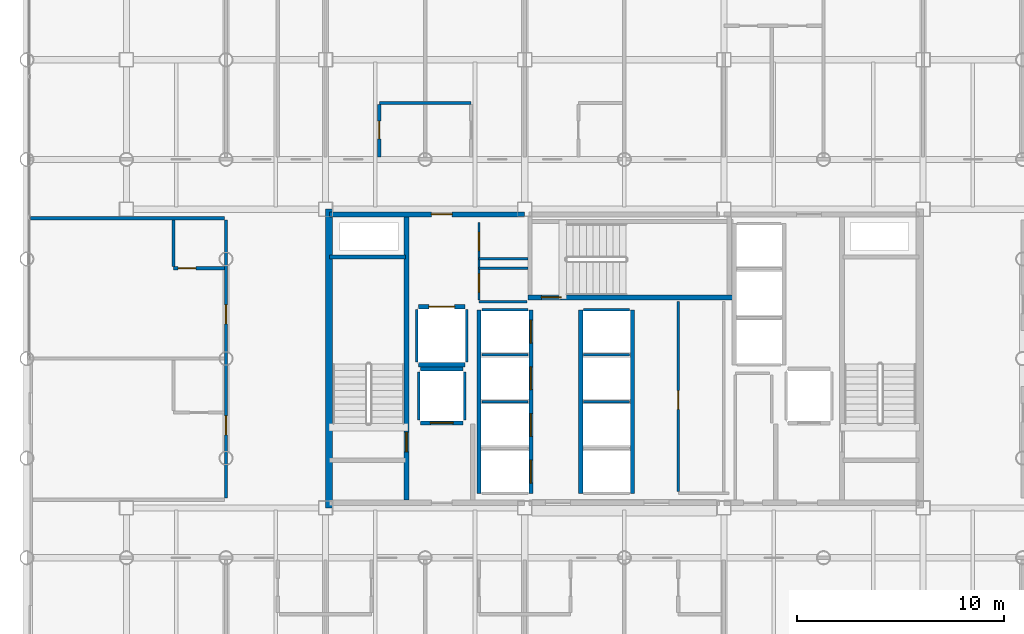
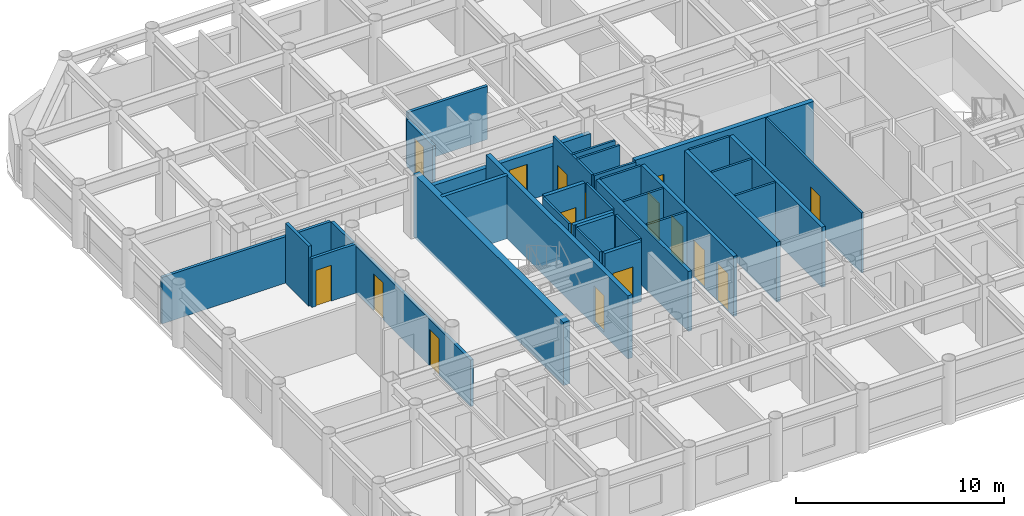
# One storey, part 18 of 22: 34 walls, 16 doors, 16 openings.
"""IFC4 building model written with IfcOpenShell, lengths in metres."""

from ifc_helpers import new_model, si_unit, direction, frame, frame_2d, origin, place, context, subcontext, project, spatial, rectangle, extrude, material, layer, layer_set, type_object, element, fill, save


model = new_model("IFC4")

# Units and contexts
model_context = context("Model", 3, precision=1e-05, world=origin(), true_north=direction((0.0, 1.0)))
body_context = subcontext(model_context, "Body", "Model", "MODEL_VIEW")
ifc_project = project(units=[si_unit("LENGTHUNIT", "METRE"), si_unit("AREAUNIT", "SQUARE_METRE"), si_unit("VOLUMEUNIT", "CUBIC_METRE"), si_unit("PLANEANGLEUNIT", "RADIAN"), si_unit("MASSUNIT", "GRAM", prefix="KILO")], contexts=[model_context])

# Site, building, storey
site_placement = place(None, origin())
site = spatial("IfcSite", under=ifc_project, at=site_placement, CompositionType="ELEMENT")
building_placement = place(site_placement, origin())
building = spatial("IfcBuilding", under=site, at=building_placement, Name="Kallvorn Hotel Tower", CompositionType="ELEMENT")
storey_placement = place(building_placement, frame((0.0, 0.0, 113.699951171875)))
storey = spatial("IfcBuildingStorey", under=building, at=storey_placement, Name="L27", CompositionType="ELEMENT", Elevation=113.699951171875)

# Wall
ifc_material_1 = material(Name="Concrete C50/60", Category="concrete")
ifc_layer_1 = layer(ifc_material_1, 0.35009765625)
ifc_layer_set_1 = layer_set([ifc_layer_1], Name="WL_CORE_350")
wall_type_1 = type_object("IfcWallType", Name="WL_CORE_350", PredefinedType="SHEAR", material=ifc_layer_set_1)
wall_1_placement = place(storey_placement, frame((-14.239990234375, -7.199951171875, -0.179931640625), z_axis=(0.0, 0.0, 1.0), x_axis=(0.0, 1.0, 0.0)))
element("IfcWall", 1, at=wall_1_placement, inside=storey, type_object=wall_type_1, Name="L27 Core West Shear Wall", PredefinedType="SHEAR", context=body_context, shape_type="SweptSolid", body=[
    extrude(rectangle(XDim=14.39990234375, YDim=0.35009765625, at=frame_2d((7.199951171875, 0.0))), origin(), (0.0, 0.0, 1.0), 3.699951171875),
])

# Wall, opening, door
ifc_material_2 = material(Name="Fire-rated double-layer acoustic gypsum drywall EI 60")
ifc_layer_2 = layer(ifc_material_2, 0.159912109375)
ifc_layer_set_2 = layer_set([ifc_layer_2], Name="WL_DEMISE_160")
wall_type_2 = type_object("IfcWallType", Name="WL_DEMISE_160", PredefinedType="PARTITIONING", material=ifc_layer_set_2)
wall_2_placement = place(storey_placement, frame((-21.72998046875, 4.35009765625, 0.0), z_axis=(0.0, 0.0, 1.0), x_axis=(1.0, 0.0, 0.0)))
wall_2 = element("IfcWall", 2, at=wall_2_placement, inside=storey, type_object=wall_type_2, Name="L27 Suite 2702 W Andean Twin Room Partition", PredefinedType="PARTITIONING", context=body_context, shape_type="SweptSolid", body=[
    extrude(rectangle(XDim=2.449951171875, YDim=0.159912109375, at=frame_2d((1.22509765625, 0.0))), origin(), (0.0, 0.0, 1.0), 2.8701171875),
])
opening_1_placement = place(wall_2_placement, frame((0.219970703125, 0.0, 0.0)))
opening_1 = element("IfcOpeningElement", 3, at=opening_1_placement, cuts=wall_2, Name="Opening BD-I", PredefinedType="OPENING", context=body_context, shape_type="SweptSolid", body=[
    extrude(rectangle(XDim=0.860107421875, YDim=2.10009765625, at=frame_2d((0.43017578125, 1.050048828125))), frame((0.0, 0.094970703125, 0.0), z_axis=(0.0, -1.0, 0.0), x_axis=(1.0, 0.0, 0.0)), (0.0, 0.0, 1.0), 0.18994140625),
])
ifc_material_3 = material(Name="Solid-core walnut veneer fire-rated timber door leaf", Category="wood")
door_type_1 = type_object("IfcDoorType", Name="DR_BATH_860x2100", OperationType="NOTDEFINED", PredefinedType="DOOR", material=ifc_material_3)
door_1_placement = place(opening_1_placement, origin())
door_1 = element("IfcDoor", 4, at=door_1_placement, inside=storey, type_object=door_type_1, Name="L27 Suite 2702 En-Suite Bathroom Door", OperationType="SINGLE_SWING_LEFT", OverallHeight=2.10009765625, OverallWidth=0.860107421875, PredefinedType="DOOR", context=body_context, shape_type="SweptSolid", body=[
    extrude(rectangle(XDim=0.860107421875, YDim=2.10009765625, at=frame_2d((0.43017578125, 1.050048828125))), frame((0.0, 0.02490234375, 0.0), z_axis=(0.0, -1.0, 0.0), x_axis=(1.0, 0.0, 0.0)), (0.0, 0.0, 1.0), 0.050048828125),
])
fill(opening_1, door_1)

# Walls
wall_3_placement = place(storey_placement, frame((-28.6298828125, 6.75830078125, 0.0), z_axis=(0.0, 0.0, 1.0), x_axis=(1.0, 0.0, 0.0)))
element("IfcWall", 5, at=wall_3_placement, inside=storey, type_object=wall_type_2, Name="L27 Suite 2702 W Andean Twin Room Partition", PredefinedType="PARTITIONING", context=body_context, shape_type="SweptSolid", body=[
    extrude(rectangle(XDim=9.349853515625, YDim=0.159912109375, at=frame_2d((4.6748046875, 0.0))), origin(), (0.0, 0.0, 1.0), 2.719970703125),
])
wall_4_placement = place(storey_placement, frame((-11.81005859375, 12.320068359375, 0.0), z_axis=(0.0, 0.0, 1.0), x_axis=(1.0, 0.0, 0.0)))
element("IfcWall", 6, at=wall_4_placement, inside=storey, type_object=wall_type_2, Name="L27 Suite 2711 Standard Twin Room Partition", PredefinedType="PARTITIONING", context=body_context, shape_type="SweptSolid", body=[
    extrude(rectangle(XDim=4.420166015625, YDim=0.159912109375, at=frame_2d((2.2099609375, 0.0))), origin(), (0.0, 0.0, 1.0), 3.1201171875),
])
wall_5_placement = place(storey_placement, frame((-21.72998046875, 4.43505859375, 0.0), z_axis=(0.0, 0.0, 1.0), x_axis=(0.0, 1.0, 0.0)))
element("IfcWall", 7, at=wall_5_placement, inside=storey, type_object=wall_type_2, Name="L27 Suite 2702 W Andean Twin Room Partition", PredefinedType="PARTITIONING", context=body_context, shape_type="SweptSolid", body=[
    extrude(rectangle(XDim=2.23828125, YDim=0.159912109375, at=frame_2d((1.119140625, 0.0))), origin(), (0.0, 0.0, 1.0), 3.52001953125),
])

# Wall, openings, doors
wall_6_placement = place(storey_placement, frame((-19.199951171875, -6.715087890625, 0.0), z_axis=(0.0, 0.0, 1.0), x_axis=(0.0, 1.0, 0.0)))
wall_6 = element("IfcWall", 8, at=wall_6_placement, inside=storey, type_object=wall_type_2, Name="L27 Suite 2701 W Loggia King Room Partition", PredefinedType="PARTITIONING", context=body_context, shape_type="SweptSolid", body=[
    extrude(rectangle(XDim=13.388427734375, YDim=0.159912109375, at=frame_2d((6.6943359375, 0.0))), origin(), (0.0, 0.0, 1.0), 2.719970703125),
])
opening_2_placement = place(wall_6_placement, frame((3.034912109375, 0.0, 0.0)))
opening_2 = element("IfcOpeningElement", 9, at=opening_2_placement, cuts=wall_6, Name="Opening GD1", PredefinedType="OPENING", context=body_context, shape_type="SweptSolid", body=[
    extrude(rectangle(XDim=0.919921875, YDim=2.14990234375, at=frame_2d((0.4599609375, 1.074951171875))), frame((0.0, 0.094970703125, 0.0), z_axis=(0.0, -1.0, 0.0), x_axis=(1.0, 0.0, 0.0)), (0.0, 0.0, 1.0), 0.18994140625),
])
opening_3_placement = place(wall_6_placement, frame((8.385009765625, 0.0, 0.0)))
opening_3 = element("IfcOpeningElement", 10, at=opening_3_placement, cuts=wall_6, Name="Opening GD1", PredefinedType="OPENING", context=body_context, shape_type="SweptSolid", body=[
    extrude(rectangle(XDim=0.919921875, YDim=2.14990234375, at=frame_2d((0.4599609375, 1.074951171875))), frame((0.0, 0.094970703125, 0.0), z_axis=(0.0, -1.0, 0.0), x_axis=(1.0, 0.0, 0.0)), (0.0, 0.0, 1.0), 0.18994140625),
])
ifc_material_4 = material(Name="Solid-core walnut veneer fire-rated timber door leaf", Category="wood")
door_type_2 = type_object("IfcDoorType", Name="DR_GUEST_920x2150", OperationType="NOTDEFINED", PredefinedType="DOOR", material=ifc_material_4)
door_2_placement = place(opening_2_placement, origin())
door_2 = element("IfcDoor", 11, at=door_2_placement, inside=storey, type_object=door_type_2, Name="L27 Suite 2701 W Loggia King Room Door", OperationType="SINGLE_SWING_RIGHT", OverallHeight=2.14990234375, OverallWidth=0.919921875, PredefinedType="DOOR", context=body_context, shape_type="SweptSolid", body=[
    extrude(rectangle(XDim=0.919921875, YDim=2.14990234375, at=frame_2d((0.4599609375, 1.074951171875))), frame((0.0, 0.02490234375, 0.0), z_axis=(0.0, -1.0, 0.0), x_axis=(1.0, 0.0, 0.0)), (0.0, 0.0, 1.0), 0.050048828125),
])
fill(opening_2, door_2)
door_3_placement = place(opening_3_placement, origin())
door_3 = element("IfcDoor", 12, at=door_3_placement, inside=storey, type_object=door_type_2, Name="L27 Suite 2702 W Andean Twin Room Door", OperationType="SINGLE_SWING_RIGHT", OverallHeight=2.14990234375, OverallWidth=0.919921875, PredefinedType="DOOR", context=body_context, shape_type="SweptSolid", body=[
    extrude(rectangle(XDim=0.919921875, YDim=2.14990234375, at=frame_2d((0.4599609375, 1.074951171875))), frame((0.0, 0.02490234375, 0.0), z_axis=(0.0, -1.0, 0.0), x_axis=(1.0, 0.0, 0.0)), (0.0, 0.0, 1.0), 0.050048828125),
])
fill(opening_3, door_3)

# Wall, opening, door
wall_7_placement = place(storey_placement, frame((-11.81005859375, 9.719970703125, 0.0), z_axis=(0.0, 0.0, 1.0), x_axis=(0.0, 1.0, 0.0)))
wall_7 = element("IfcWall", 13, at=wall_7_placement, inside=storey, type_object=wall_type_2, Name="L27 Suite 2711 Standard Twin Room Partition", PredefinedType="PARTITIONING", context=body_context, shape_type="SweptSolid", body=[
    extrude(rectangle(XDim=2.51513671875, YDim=0.159912109375, at=frame_2d((1.257568359375, 0.0))), origin(), (0.0, 0.0, 1.0), 2.719970703125),
])
opening_4_placement = place(wall_7_placement, frame((0.8701171875, 0.0, 0.0)))
opening_4 = element("IfcOpeningElement", 14, at=opening_4_placement, cuts=wall_7, Name="Opening BD-I", PredefinedType="OPENING", context=body_context, shape_type="SweptSolid", body=[
    extrude(rectangle(XDim=0.860107421875, YDim=2.10009765625, at=frame_2d((0.43017578125, 1.050048828125))), frame((0.0, 0.094970703125, 0.0), z_axis=(0.0, -1.0, 0.0), x_axis=(1.0, 0.0, 0.0)), (0.0, 0.0, 1.0), 0.18994140625),
])
door_4_placement = place(opening_4_placement, origin())
door_4 = element("IfcDoor", 15, at=door_4_placement, inside=storey, type_object=door_type_1, Name="L27 Suite 2711 En-Suite Bathroom Door", OperationType="SINGLE_SWING_LEFT", OverallHeight=2.10009765625, OverallWidth=0.860107421875, PredefinedType="DOOR", context=body_context, shape_type="SweptSolid", body=[
    extrude(rectangle(XDim=0.860107421875, YDim=2.10009765625, at=frame_2d((0.43017578125, 1.050048828125))), frame((0.0, 0.02490234375, 0.0), z_axis=(0.0, -1.0, 0.0), x_axis=(1.0, 0.0, 0.0)), (0.0, 0.0, 1.0), 0.050048828125),
])
fill(opening_4, door_4)

# Wall
ifc_material_5 = material(Name="Concrete C40/50", Category="concrete")
ifc_layer_3 = layer(ifc_material_5, 0.199951171875)
ifc_layer_set_3 = layer_set([ifc_layer_3], Name="WL_HOIST_200")
wall_type_3 = type_object("IfcWallType", Name="WL_HOIST_200", PredefinedType="SOLIDWALL", material=ifc_layer_set_3)
wall_8_placement = place(storey_placement, frame((-14.199951171875, 4.89990234375, -0.179931640625), z_axis=(0.0, 0.0, 1.0), x_axis=(1.0, 0.0, 0.0)))
element("IfcWall", 16, at=wall_8_placement, inside=storey, type_object=wall_type_3, Name="L27 Stair ST1 North Wall", PredefinedType="SOLIDWALL", context=body_context, shape_type="SweptSolid", body=[
    extrude(rectangle(XDim=3.64990234375, YDim=0.199951171875, at=frame_2d((1.824951171875, 0.0))), origin(), (0.0, 0.0, 1.0), 3.699951171875),
])

# Wall, openings, doors
wall_9_placement = place(storey_placement, frame((-4.5, -6.5, 0.0), z_axis=(0.0, 0.0, 1.0), x_axis=(0.0, 1.0, 0.0)))
wall_9 = element("IfcWall", 17, at=wall_9_placement, inside=storey, type_object=wall_type_3, Name="L27 Lift Bank B1 Landing Wall", PredefinedType="SOLIDWALL", context=body_context, shape_type="SweptSolid", body=[
    extrude(rectangle(XDim=8.85009765625, YDim=0.199951171875, at=frame_2d((4.425048828125, 0.0))), origin(), (0.0, 0.0, 1.0), 3.52001953125),
])
opening_5_placement = place(wall_9_placement, frame((0.5, 0.0, 0.0)))
opening_5 = element("IfcOpeningElement", 18, at=opening_5_placement, cuts=wall_9, Name="Opening LD-PL-01", PredefinedType="OPENING", context=body_context, shape_type="SweptSolid", body=[
    extrude(rectangle(XDim=1.10009765625, YDim=2.199951171875, at=frame_2d((0.550048828125, 1.10009765625))), frame((0.0, 0.114990234375, 0.0), z_axis=(0.0, -1.0, 0.0), x_axis=(1.0, 0.0, 0.0)), (0.0, 0.0, 1.0), 0.22998046875),
])
opening_6_placement = place(wall_9_placement, frame((2.75, 0.0, 0.0)))
opening_6 = element("IfcOpeningElement", 19, at=opening_6_placement, cuts=wall_9, Name="Opening LD-PL-02", PredefinedType="OPENING", context=body_context, shape_type="SweptSolid", body=[
    extrude(rectangle(XDim=1.10009765625, YDim=2.199951171875, at=frame_2d((0.550048828125, 1.10009765625))), frame((0.0, 0.114990234375, 0.0), z_axis=(0.0, -1.0, 0.0), x_axis=(1.0, 0.0, 0.0)), (0.0, 0.0, 1.0), 0.22998046875),
])
opening_7_placement = place(wall_9_placement, frame((5.0, 0.0, 0.0)))
opening_7 = element("IfcOpeningElement", 20, at=opening_7_placement, cuts=wall_9, Name="Opening LD-PL-03", PredefinedType="OPENING", context=body_context, shape_type="SweptSolid", body=[
    extrude(rectangle(XDim=1.10009765625, YDim=2.199951171875, at=frame_2d((0.550048828125, 1.10009765625))), frame((0.0, 0.114990234375, 0.0), z_axis=(0.0, -1.0, 0.0), x_axis=(1.0, 0.0, 0.0)), (0.0, 0.0, 1.0), 0.22998046875),
])
opening_8_placement = place(wall_9_placement, frame((7.25, 0.0, 0.0)))
opening_8 = element("IfcOpeningElement", 21, at=opening_8_placement, cuts=wall_9, Name="Opening LD-PL-04", PredefinedType="OPENING", context=body_context, shape_type="SweptSolid", body=[
    extrude(rectangle(XDim=1.10009765625, YDim=2.199951171875, at=frame_2d((0.550048828125, 1.10009765625))), frame((0.0, 0.114990234375, 0.0), z_axis=(0.0, -1.0, 0.0), x_axis=(1.0, 0.0, 0.0)), (0.0, 0.0, 1.0), 0.22998046875),
])
ifc_material_6 = material(Name="Brushed stainless-steel automatic sliding lift landing door", Category="steel")
door_type_3 = type_object("IfcDoorType", Name="LD_PASS_1100x2200", OperationType="SLIDING_TO_LEFT", PredefinedType="DOOR", material=ifc_material_6)
door_5_placement = place(opening_5_placement, origin())
door_5 = element("IfcDoor", 22, at=door_5_placement, inside=storey, type_object=door_type_3, Name="L27 Lift Landing Sliding Door LD-PL-01", OperationType="SLIDING_TO_LEFT", OverallHeight=2.199951171875, OverallWidth=1.10009765625, PredefinedType="DOOR", context=body_context, shape_type="SweptSolid", body=[
    extrude(rectangle(XDim=1.10009765625, YDim=2.199951171875, at=frame_2d((0.550048828125, 1.10009765625))), frame((0.0, 0.02490234375, 0.0), z_axis=(0.0, -1.0, 0.0), x_axis=(1.0, 0.0, 0.0)), (0.0, 0.0, 1.0), 0.050048828125),
])
fill(opening_5, door_5)
door_6_placement = place(opening_6_placement, origin())
door_6 = element("IfcDoor", 23, at=door_6_placement, inside=storey, type_object=door_type_3, Name="L27 Lift Landing Sliding Door LD-PL-02", OperationType="SLIDING_TO_LEFT", OverallHeight=2.199951171875, OverallWidth=1.10009765625, PredefinedType="DOOR", context=body_context, shape_type="SweptSolid", body=[
    extrude(rectangle(XDim=1.10009765625, YDim=2.199951171875, at=frame_2d((0.550048828125, 1.10009765625))), frame((0.0, 0.02490234375, 0.0), z_axis=(0.0, -1.0, 0.0), x_axis=(1.0, 0.0, 0.0)), (0.0, 0.0, 1.0), 0.050048828125),
])
fill(opening_6, door_6)
door_7_placement = place(opening_7_placement, origin())
door_7 = element("IfcDoor", 24, at=door_7_placement, inside=storey, type_object=door_type_3, Name="L27 Lift Landing Sliding Door LD-PL-03", OperationType="SLIDING_TO_LEFT", OverallHeight=2.199951171875, OverallWidth=1.10009765625, PredefinedType="DOOR", context=body_context, shape_type="SweptSolid", body=[
    extrude(rectangle(XDim=1.10009765625, YDim=2.199951171875, at=frame_2d((0.550048828125, 1.10009765625))), frame((0.0, 0.02490234375, 0.0), z_axis=(0.0, -1.0, 0.0), x_axis=(1.0, 0.0, 0.0)), (0.0, 0.0, 1.0), 0.050048828125),
])
fill(opening_7, door_7)
door_8_placement = place(opening_8_placement, origin())
door_8 = element("IfcDoor", 25, at=door_8_placement, inside=storey, type_object=door_type_3, Name="L27 Lift Landing Sliding Door LD-PL-04", OperationType="SLIDING_TO_LEFT", OverallHeight=2.199951171875, OverallWidth=1.10009765625, PredefinedType="DOOR", context=body_context, shape_type="SweptSolid", body=[
    extrude(rectangle(XDim=1.10009765625, YDim=2.199951171875, at=frame_2d((0.550048828125, 1.10009765625))), frame((0.0, 0.02490234375, 0.0), z_axis=(0.0, -1.0, 0.0), x_axis=(1.0, 0.0, 0.0)), (0.0, 0.0, 1.0), 0.050048828125),
])
fill(opening_8, door_8)

# Walls
for number, where, z_axis, x_axis, name in (
    (26, (-7.0, -6.5, 0.0), (0.0, 0.0, 1.0), (0.0, 1.0, 0.0), "L27 Lift Bank B1 Rear Shaft Wall"),
    (27, (-2.10009765625, -6.5, 0.0), (0.0, 0.0, 1.0), (0.0, 1.0, 0.0), "L27 Lift Bank B2 Landing Wall"),
    (28, (0.39990234375, -6.5, 0.0), (0.0, 0.0, 1.0), (0.0, 1.0, 0.0), "L27 Lift Bank B2 Rear Shaft Wall"),
):
    element("IfcWall", number, at=place(storey_placement, frame(where, z_axis=z_axis, x_axis=x_axis)), inside=storey, type_object=wall_type_3, Name=name, PredefinedType="SOLIDWALL", context=body_context, shape_type="SweptSolid", body=[
        extrude(rectangle(XDim=8.85009765625, YDim=0.199951171875, at=frame_2d((4.425048828125, 0.0))), origin(), (0.0, 0.0, 1.0), 3.52001953125),
    ])

# Wall, opening, door
wall_10_placement = place(storey_placement, frame((-9.820068359375, -3.10009765625, 0.0), z_axis=(0.0, 0.0, 1.0), x_axis=(1.0, 0.0, 0.0)))
wall_10 = element("IfcWall", 29, at=wall_10_placement, inside=storey, type_object=wall_type_3, Name="L27 FL-1 Landing Wall", PredefinedType="SOLIDWALL", context=body_context, shape_type="SweptSolid", body=[
    extrude(rectangle(XDim=2.0400390625, YDim=0.199951171875, at=frame_2d((1.02001953125, 0.0))), origin(), (0.0, 0.0, 1.0), 3.52001953125),
])
opening_9_placement = place(wall_10_placement, frame((0.469970703125, 0.0, 0.0)))
opening_9 = element("IfcOpeningElement", 30, at=opening_9_placement, cuts=wall_10, Name="Opening LD-FL-1", PredefinedType="OPENING", context=body_context, shape_type="SweptSolid", body=[
    extrude(rectangle(XDim=1.10009765625, YDim=2.199951171875, at=frame_2d((0.550048828125, 1.10009765625))), frame((0.0, 0.114990234375, 0.0), z_axis=(0.0, -1.0, 0.0), x_axis=(1.0, 0.0, 0.0)), (0.0, 0.0, 1.0), 0.22998046875),
])
door_9_placement = place(opening_9_placement, origin())
door_9 = element("IfcDoor", 31, at=door_9_placement, inside=storey, type_object=door_type_3, Name="L27 Lift Landing Sliding Door LD-FL-1", OperationType="SLIDING_TO_LEFT", OverallHeight=2.199951171875, OverallWidth=1.10009765625, PredefinedType="DOOR", context=body_context, shape_type="SweptSolid", body=[
    extrude(rectangle(XDim=1.10009765625, YDim=2.199951171875, at=frame_2d((0.550048828125, 1.10009765625))), frame((0.0, 0.02490234375, 0.0), z_axis=(0.0, -1.0, 0.0), x_axis=(1.0, 0.0, 0.0)), (0.0, 0.0, 1.0), 0.050048828125),
])
fill(opening_9, door_9)

# Wall
wall_11_placement = place(storey_placement, frame((-9.820068359375, -0.5, 0.0), z_axis=(0.0, 0.0, 1.0), x_axis=(1.0, 0.0, 0.0)))
element("IfcWall", 32, at=wall_11_placement, inside=storey, type_object=wall_type_3, Name="L27 FL-1 Rear Shaft Wall", PredefinedType="SOLIDWALL", context=body_context, shape_type="SweptSolid", body=[
    extrude(rectangle(XDim=2.0400390625, YDim=0.199951171875, at=frame_2d((1.02001953125, 0.0))), origin(), (0.0, 0.0, 1.0), 3.52001953125),
])

# Wall, opening, door
wall_12_placement = place(storey_placement, frame((-9.919921875, 2.5, 0.0), z_axis=(0.0, 0.0, 1.0), x_axis=(1.0, 0.0, 0.0)))
wall_12 = element("IfcWall", 33, at=wall_12_placement, inside=storey, type_object=wall_type_3, Name="L27 SV-01 Landing Wall", PredefinedType="SOLIDWALL", context=body_context, shape_type="SweptSolid", body=[
    extrude(rectangle(XDim=2.239990234375, YDim=0.199951171875, at=frame_2d((1.1201171875, 0.0))), origin(), (0.0, 0.0, 1.0), 3.52001953125),
])
opening_10_placement = place(wall_12_placement, frame((0.4951171875, 0.0, 0.0)))
opening_10 = element("IfcOpeningElement", 34, at=opening_10_placement, cuts=wall_12, Name="Opening LD-SV-01", PredefinedType="OPENING", context=body_context, shape_type="SweptSolid", body=[
    extrude(rectangle(XDim=1.25, YDim=2.25, at=frame_2d((0.625, 1.125))), frame((0.0, 0.114990234375, 0.0), z_axis=(0.0, -1.0, 0.0), x_axis=(1.0, 0.0, 0.0)), (0.0, 0.0, 1.0), 0.22998046875),
])
ifc_material_7 = material(Name="Brushed stainless-steel automatic sliding lift landing door", Category="steel")
door_type_4 = type_object("IfcDoorType", Name="LD_SERV_1250x2250", OperationType="SLIDING_TO_LEFT", PredefinedType="DOOR", material=ifc_material_7)
door_10_placement = place(opening_10_placement, origin())
door_10 = element("IfcDoor", 35, at=door_10_placement, inside=storey, type_object=door_type_4, Name="L27 Lift Landing Sliding Door LD-SV-01", OperationType="SLIDING_TO_LEFT", OverallHeight=2.25, OverallWidth=1.25, PredefinedType="DOOR", context=body_context, shape_type="SweptSolid", body=[
    extrude(rectangle(XDim=1.25, YDim=2.25, at=frame_2d((0.625, 1.125))), frame((0.0, 0.02490234375, 0.0), z_axis=(0.0, -1.0, 0.0), x_axis=(1.0, 0.0, 0.0)), (0.0, 0.0, 1.0), 0.050048828125),
])
fill(opening_10, door_10)

# Walls
wall_13_placement = place(storey_placement, frame((-9.919921875, -0.300048828125, 0.0), z_axis=(0.0, 0.0, 1.0), x_axis=(1.0, 0.0, 0.0)))
element("IfcWall", 36, at=wall_13_placement, inside=storey, type_object=wall_type_3, Name="L27 SV-01 Rear Shaft Wall", PredefinedType="SOLIDWALL", context=body_context, shape_type="SweptSolid", body=[
    extrude(rectangle(XDim=2.239990234375, YDim=0.199951171875, at=frame_2d((1.1201171875, 0.0))), origin(), (0.0, 0.0, 1.0), 3.52001953125),
])
ifc_material_8 = material(Name="Fire-rated double-layer acoustic gypsum drywall EI 60")
ifc_layer_4 = layer(ifc_material_8, 0.1201171875)
ifc_layer_set_4 = layer_set([ifc_layer_4], Name="WL_INT_120")
wall_type_4 = type_object("IfcWallType", Name="WL_INT_120", PredefinedType="PARTITIONING", material=ifc_layer_set_4)
for number, where, z_axis, x_axis, name in (
    (37, (-6.860107421875, -2.074951171875, 0.0), (0.0, 0.0, 1.0), (1.0, 0.0, 0.0), "L27 PL-02 Hoistway Divider"),
    (38, (-6.860107421875, 0.175048828125, 0.0), (0.0, 0.0, 1.0), (1.0, 0.0, 0.0), "L27 PL-03 Hoistway Divider"),
    (39, (-6.860107421875, 2.35009765625, 0.0), (0.0, 0.0, 1.0), (1.0, 0.0, 0.0), "L27 PL-04 Hoistway Divider"),
):
    element("IfcWall", number, at=place(storey_placement, frame(where, z_axis=z_axis, x_axis=x_axis)), inside=storey, type_object=wall_type_4, Name=name, PredefinedType="PARTITIONING", context=body_context, shape_type="SweptSolid", body=[
        extrude(rectangle(XDim=2.22021484375, YDim=0.1201171875, at=frame_2d((1.110107421875, 0.0))), origin(), (0.0, 0.0, 1.0), 3.52001953125),
    ])
for number, where, z_axis, x_axis, name in (
    (40, (-1.9599609375, -2.074951171875, 0.0), (0.0, 0.0, 1.0), (1.0, 0.0, 0.0), "L27 PL-06 Hoistway Divider"),
    (41, (-1.9599609375, 0.175048828125, 0.0), (0.0, 0.0, 1.0), (1.0, 0.0, 0.0), "L27 PL-07 Hoistway Divider"),
    (42, (-1.9599609375, 2.35009765625, 0.0), (0.0, 0.0, 1.0), (1.0, 0.0, 0.0), "L27 PL-08 Hoistway Divider"),
):
    element("IfcWall", number, at=place(storey_placement, frame(where, z_axis=z_axis, x_axis=x_axis)), inside=storey, type_object=wall_type_4, Name=name, PredefinedType="PARTITIONING", context=body_context, shape_type="SweptSolid", body=[
        extrude(rectangle(XDim=2.219970703125, YDim=0.1201171875, at=frame_2d((1.10986328125, 0.0))), origin(), (0.0, 0.0, 1.0), 3.52001953125),
    ])
for number, where, z_axis, x_axis, name in (
    (43, (-9.89990234375, -2.9599609375, 0.0), (0.0, 0.0, 1.0), (0.0, 1.0, 0.0), "L27 FL-1 West Shaft Wall"),
    (44, (-7.699951171875, -2.9599609375, 0.0), (0.0, 0.0, 1.0), (0.0, 1.0, 0.0), "L27 FL-1 East Shaft Wall"),
):
    element("IfcWall", number, at=place(storey_placement, frame(where, z_axis=z_axis, x_axis=x_axis)), inside=storey, type_object=wall_type_4, Name=name, PredefinedType="PARTITIONING", context=body_context, shape_type="SweptSolid", body=[
        extrude(rectangle(XDim=2.320068359375, YDim=0.1201171875, at=frame_2d((1.16015625, 0.0))), origin(), (0.0, 0.0, 1.0), 3.52001953125),
    ])
for number, where, z_axis, x_axis, name in (
    (45, (-10.0, -0.159912109375, 0.0), (0.0, 0.0, 1.0), (0.0, 1.0, 0.0), "L27 SV-01 West Shaft Wall"),
    (46, (-7.60009765625, -0.159912109375, 0.0), (0.0, 0.0, 1.0), (0.0, 1.0, 0.0), "L27 SV-01 East Shaft Wall"),
):
    element("IfcWall", number, at=place(storey_placement, frame(where, z_axis=z_axis, x_axis=x_axis)), inside=storey, type_object=wall_type_4, Name=name, PredefinedType="PARTITIONING", context=body_context, shape_type="SweptSolid", body=[
        extrude(rectangle(XDim=2.52001953125, YDim=0.1201171875, at=frame_2d((1.260009765625, 0.0))), origin(), (0.0, 0.0, 1.0), 3.52001953125),
    ])
wall_14_placement = place(storey_placement, frame((-7.0, 2.75, 0.0), z_axis=(0.0, 0.0, 1.0), x_axis=(1.0, 0.0, 0.0)))
element("IfcWall", 47, at=wall_14_placement, inside=storey, type_object=wall_type_4, Name="L27 Core Ice and Vending Pantry Partition", PredefinedType="PARTITIONING", context=body_context, shape_type="SweptSolid", body=[
    extrude(rectangle(XDim=2.31005859375, YDim=0.1201171875, at=frame_2d((1.155029296875, 0.0))), origin(), (0.0, 0.0, 1.0), 3.52001953125),
])
for number, where, z_axis, x_axis, name in (
    (48, (-7.0, 4.35009765625, 0.0), (0.0, 0.0, 1.0), (1.0, 0.0, 0.0), "L27 Core Ice and Vending Pantry Partition"),
    (49, (-7.0, 4.800048828125, 0.0), (0.0, 0.0, 1.0), (1.0, 0.0, 0.0), "L27 Core Linen Supply Closet Partition"),
):
    element("IfcWall", number, at=place(storey_placement, frame(where, z_axis=z_axis, x_axis=x_axis)), inside=storey, type_object=wall_type_4, Name=name, PredefinedType="PARTITIONING", context=body_context, shape_type="SweptSolid", body=[
        extrude(rectangle(XDim=2.35009765625, YDim=0.1201171875, at=frame_2d((1.175048828125, 0.0))), origin(), (0.0, 0.0, 1.0), 3.52001953125),
    ])

# Wall, openings, doors
wall_15_placement = place(storey_placement, frame((-7.0048828125, 2.8349609375, 0.0), z_axis=(0.0, 0.0, 1.0), x_axis=(0.0, 1.0, 0.0)))
wall_15 = element("IfcWall", 50, at=wall_15_placement, inside=storey, type_object=wall_type_4, Name="L27 Core Ice and Vending Pantry Partition", PredefinedType="PARTITIONING", context=body_context, shape_type="SweptSolid", body=[
    extrude(rectangle(XDim=3.715087890625, YDim=0.1201171875, at=frame_2d((1.857421875, 0.0))), origin(), (0.0, 0.0, 1.0), 3.52001953125),
])
opening_11_placement = place(wall_15_placement, frame((0.364990234375, 0.0, 0.0)))
opening_11 = element("IfcOpeningElement", 51, at=opening_11_placement, cuts=wall_15, Name="Opening SVD1", PredefinedType="OPENING", context=body_context, shape_type="SweptSolid", body=[
    extrude(rectangle(XDim=0.89990234375, YDim=2.10009765625, at=frame_2d((0.449951171875, 1.050048828125))), frame((0.0, 0.074951171875, 0.0), z_axis=(0.0, -1.0, 0.0), x_axis=(1.0, 0.0, 0.0)), (0.0, 0.0, 1.0), 0.150146484375),
])
opening_12_placement = place(wall_15_placement, frame((2.364990234375, 0.0, 0.0)))
opening_12 = element("IfcOpeningElement", 52, at=opening_12_placement, cuts=wall_15, Name="Opening SVD1", PredefinedType="OPENING", context=body_context, shape_type="SweptSolid", body=[
    extrude(rectangle(XDim=0.89990234375, YDim=2.10009765625, at=frame_2d((0.449951171875, 1.050048828125))), frame((0.0, 0.074951171875, 0.0), z_axis=(0.0, -1.0, 0.0), x_axis=(1.0, 0.0, 0.0)), (0.0, 0.0, 1.0), 0.150146484375),
])
ifc_material_9 = material(Name="Galvanised painted steel fire-rated door assembly", Category="steel")
door_type_5 = type_object("IfcDoorType", Name="DR_SERV_900x2100", OperationType="NOTDEFINED", PredefinedType="DOOR", material=ifc_material_9)
door_11_placement = place(opening_11_placement, origin())
door_11 = element("IfcDoor", 53, at=door_11_placement, inside=storey, type_object=door_type_5, Name="L27 Core Ice and Vending Pantry Door", OperationType="SINGLE_SWING_RIGHT", OverallHeight=2.10009765625, OverallWidth=0.89990234375, PredefinedType="DOOR", context=body_context, shape_type="SweptSolid", body=[
    extrude(rectangle(XDim=0.89990234375, YDim=2.10009765625, at=frame_2d((0.449951171875, 1.050048828125))), frame((0.0, 0.02490234375, 0.0), z_axis=(0.0, -1.0, 0.0), x_axis=(1.0, 0.0, 0.0)), (0.0, 0.0, 1.0), 0.050048828125),
])
fill(opening_11, door_11)
door_12_placement = place(opening_12_placement, origin())
door_12 = element("IfcDoor", 54, at=door_12_placement, inside=storey, type_object=door_type_5, Name="L27 Core Linen Supply Closet Door", OperationType="SINGLE_SWING_RIGHT", OverallHeight=2.10009765625, OverallWidth=0.89990234375, PredefinedType="DOOR", context=body_context, shape_type="SweptSolid", body=[
    extrude(rectangle(XDim=0.89990234375, YDim=2.10009765625, at=frame_2d((0.449951171875, 1.050048828125))), frame((0.0, 0.02490234375, 0.0), z_axis=(0.0, -1.0, 0.0), x_axis=(1.0, 0.0, 0.0)), (0.0, 0.0, 1.0), 0.050048828125),
])
fill(opening_12, door_12)

# Wall, opening, door
wall_16_placement = place(storey_placement, frame((2.59326171875, -6.4150390625, 0.0), z_axis=(0.0, 0.0, 1.0), x_axis=(0.0, 1.0, 0.0)))
wall_16 = element("IfcWall", 55, at=wall_16_placement, inside=storey, type_object=wall_type_4, Name="L27 East Core Consolidated Linen and Supply Store Partition", PredefinedType="PARTITIONING", context=body_context, shape_type="SweptSolid", body=[
    extrude(rectangle(XDim=9.1650390625, YDim=0.1201171875, at=frame_2d((4.58251953125, 0.0))), origin(), (0.0, 0.0, 1.0), 3.52001953125),
])
opening_13_placement = place(wall_16_placement, frame((3.965087890625, 0.0, 0.0)))
opening_13 = element("IfcOpeningElement", 56, at=opening_13_placement, cuts=wall_16, Name="Opening SVD1", PredefinedType="OPENING", context=body_context, shape_type="SweptSolid", body=[
    extrude(rectangle(XDim=0.89990234375, YDim=2.10009765625, at=frame_2d((0.449951171875, 1.050048828125))), frame((0.0, 0.074951171875, 0.0), z_axis=(0.0, -1.0, 0.0), x_axis=(1.0, 0.0, 0.0)), (0.0, 0.0, 1.0), 0.150146484375),
])
door_13_placement = place(opening_13_placement, origin())
door_13 = element("IfcDoor", 57, at=door_13_placement, inside=storey, type_object=door_type_5, Name="L27 East Core Consolidated Linen and Supply Store Door", OperationType="SINGLE_SWING_LEFT", OverallHeight=2.10009765625, OverallWidth=0.89990234375, PredefinedType="DOOR", context=body_context, shape_type="SweptSolid", body=[
    extrude(rectangle(XDim=0.89990234375, YDim=2.10009765625, at=frame_2d((0.449951171875, 1.050048828125))), frame((0.0, 0.02490234375, 0.0), z_axis=(0.0, -1.0, 0.0), x_axis=(1.0, 0.0, 0.0)), (0.0, 0.0, 1.0), 0.050048828125),
])
fill(opening_13, door_13)

ifc_material_10 = material(Name="Concrete C40/50", Category="concrete")
ifc_layer_5 = layer(ifc_material_10, 0.25)
ifc_layer_set_5 = layer_set([ifc_layer_5], Name="WL_SHAFT_250")
wall_type_5 = type_object("IfcWallType", Name="WL_SHAFT_250", PredefinedType="SOLIDWALL", material=ifc_layer_set_5)
wall_17_placement = place(storey_placement, frame((-14.199951171875, 6.949951171875, 0.0), z_axis=(0.0, 0.0, 1.0), x_axis=(1.0, 0.0, 0.0)))
wall_17 = element("IfcWall", 58, at=wall_17_placement, inside=storey, type_object=wall_type_5, Name="L27 Core North-West Wall", PredefinedType="SOLIDWALL", context=body_context, shape_type="SweptSolid", body=[
    extrude(rectangle(XDim=9.39990234375, YDim=0.25, at=frame_2d((4.699951171875, 0.0))), origin(), (0.0, 0.0, 1.0), 2.719970703125),
])
opening_14_placement = place(wall_17_placement, frame((4.89990234375, 0.0, 0.0)))
opening_14 = element("IfcOpeningElement", 59, at=opening_14_placement, cuts=wall_17, Name="Opening FD1", PredefinedType="OPENING", context=body_context, shape_type="SweptSolid", body=[
    extrude(rectangle(XDim=1.0, YDim=2.14990234375, at=frame_2d((0.5, 1.074951171875))), frame((0.0, 0.139892578125, 0.0), z_axis=(0.0, -1.0, 0.0), x_axis=(1.0, 0.0, 0.0)), (0.0, 0.0, 1.0), 0.280029296875),
])
ifc_material_11 = material(Name="Galvanised painted steel fire-rated door assembly", Category="steel")
door_type_6 = type_object("IfcDoorType", Name="DR_FFL_1000x2150", OperationType="NOTDEFINED", PredefinedType="DOOR", material=ifc_material_11)
door_14_placement = place(opening_14_placement, origin())
door_14 = element("IfcDoor", 60, at=door_14_placement, inside=storey, type_object=door_type_6, Name="L27 Service Lift Lobby Door", OperationType="SINGLE_SWING_RIGHT", OverallHeight=2.14990234375, OverallWidth=1.0, PredefinedType="DOOR", context=body_context, shape_type="SweptSolid", body=[
    extrude(rectangle(XDim=1.0, YDim=2.14990234375, at=frame_2d((0.5, 1.074951171875))), frame((0.0, 0.02490234375, 0.0), z_axis=(0.0, -1.0, 0.0), x_axis=(1.0, 0.0, 0.0)), (0.0, 0.0, 1.0), 0.050048828125),
])
fill(opening_14, door_14)

wall_18_placement = place(storey_placement, frame((-10.5, -6.820068359375, -0.179931640625), z_axis=(0.0, 0.0, 1.0), x_axis=(0.0, 1.0, 0.0)))
wall_18 = element("IfcWall", 61, at=wall_18_placement, inside=storey, type_object=wall_type_5, Name="L27 Stair ST1 Shaft Wall", PredefinedType="SOLIDWALL", context=body_context, shape_type="SweptSolid", body=[
    extrude(rectangle(XDim=13.64013671875, YDim=0.25, at=frame_2d((6.820068359375, 0.0))), origin(), (0.0, 0.0, 1.0), 3.699951171875),
])
opening_15_placement = place(wall_18_placement, frame((2.320068359375, 0.0, 0.179931640625)))
opening_15 = element("IfcOpeningElement", 62, at=opening_15_placement, cuts=wall_18, Name="Opening SD1", PredefinedType="OPENING", context=body_context, shape_type="SweptSolid", body=[
    extrude(rectangle(XDim=0.949951171875, YDim=2.14990234375, at=frame_2d((0.47509765625, 1.074951171875))), frame((0.0, 0.139892578125, 0.0), z_axis=(0.0, -1.0, 0.0), x_axis=(1.0, 0.0, 0.0)), (0.0, 0.0, 1.0), 0.280029296875),
])
ifc_material_12 = material(Name="Galvanised painted steel fire-rated door assembly", Category="steel")
door_type_7 = type_object("IfcDoorType", Name="DR_STAIR_950x2150", OperationType="NOTDEFINED", PredefinedType="DOOR", material=ifc_material_12)
door_15_placement = place(opening_15_placement, origin())
door_15 = element("IfcDoor", 63, at=door_15_placement, inside=storey, type_object=door_type_7, Name="L27 Exit Stair ST1 Fire Door", OperationType="SINGLE_SWING_LEFT", OverallHeight=2.14990234375, OverallWidth=0.949951171875, PredefinedType="DOOR", context=body_context, shape_type="SweptSolid", body=[
    extrude(rectangle(XDim=0.949951171875, YDim=2.14990234375, at=frame_2d((0.47509765625, 1.074951171875))), frame((0.0, 0.02490234375, 0.0), z_axis=(0.0, -1.0, 0.0), x_axis=(1.0, 0.0, 0.0)), (0.0, 0.0, 1.0), 0.050048828125),
])
fill(opening_15, door_15)

wall_19_placement = place(storey_placement, frame((-4.64990234375, 2.949951171875, -0.179931640625), z_axis=(0.0, 0.0, 1.0), x_axis=(1.0, 0.0, 0.0)))
wall_19 = element("IfcWall", 64, at=wall_19_placement, inside=storey, type_object=wall_type_5, Name="L27 Stair ST3 Shaft South Wall", PredefinedType="SOLIDWALL", context=body_context, shape_type="SweptSolid", body=[
    extrude(rectangle(XDim=9.89990234375, YDim=0.25, at=frame_2d((4.949951171875, 0.0))), origin(), (0.0, 0.0, 1.0), 3.699951171875),
])
opening_16_placement = place(wall_19_placement, frame((0.64990234375, 0.0, 0.179931640625)))
opening_16 = element("IfcOpeningElement", 65, at=opening_16_placement, cuts=wall_19, Name="Opening SD1", PredefinedType="OPENING", context=body_context, shape_type="SweptSolid", body=[
    extrude(rectangle(XDim=0.949951171875, YDim=2.14990234375, at=frame_2d((0.47509765625, 1.074951171875))), frame((0.0, 0.139892578125, 0.0), z_axis=(0.0, -1.0, 0.0), x_axis=(1.0, 0.0, 0.0)), (0.0, 0.0, 1.0), 0.280029296875),
])
door_16_placement = place(opening_16_placement, origin())
door_16 = element("IfcDoor", 66, at=door_16_placement, inside=storey, type_object=door_type_7, Name="L27 Exit Stair ST3 Fire Door", OperationType="SINGLE_SWING_LEFT", OverallHeight=2.14990234375, OverallWidth=0.949951171875, PredefinedType="DOOR", context=body_context, shape_type="SweptSolid", body=[
    extrude(rectangle(XDim=0.949951171875, YDim=2.14990234375, at=frame_2d((0.47509765625, 1.074951171875))), frame((0.0, 0.02490234375, 0.0), z_axis=(0.0, -1.0, 0.0), x_axis=(1.0, 0.0, 0.0)), (0.0, 0.0, 1.0), 0.050048828125),
])
fill(opening_16, door_16)

save(model, "model.ifc")
